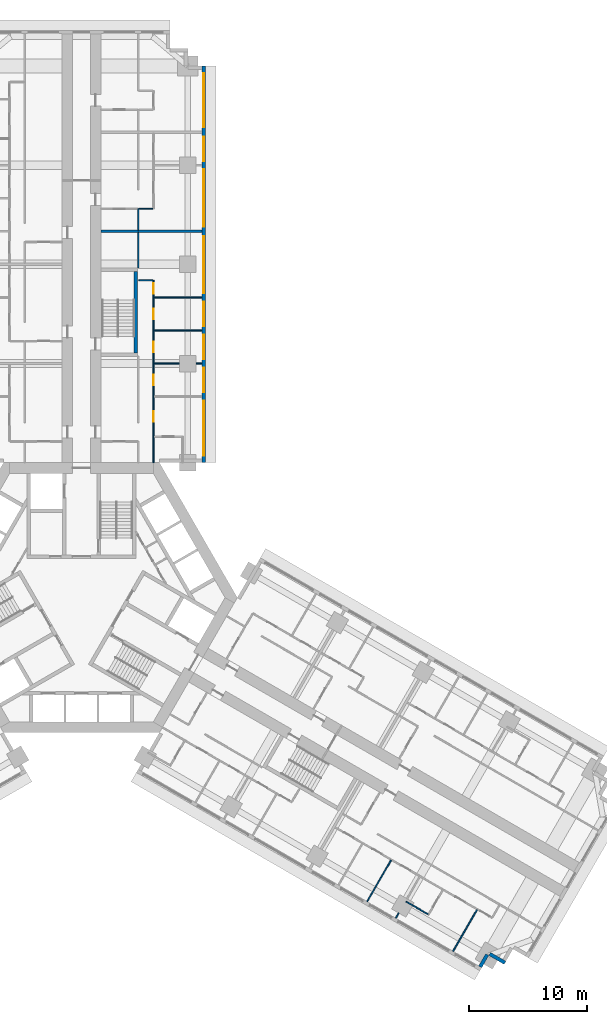
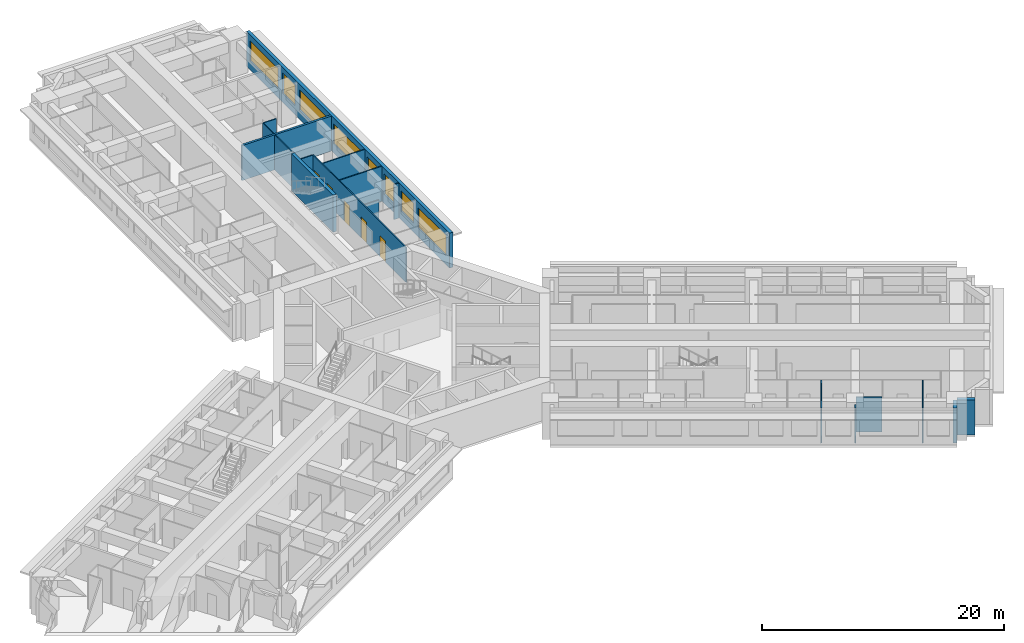
# One storey, part 10 of 15: 18 walls, 8 windows, 5 doors, 13 openings.
"""IFC4 building model written with IfcOpenShell, lengths in metres."""

from ifc_helpers import new_model, si_unit, direction, frame, frame_2d, origin, place, context, subcontext, project, spatial, rectangle, extrude, material, layer, layer_set, type_object, element, fill, save


model = new_model("IFC4")

# Units and contexts
model_context = context("Model", 3, precision=1e-05, world=origin(), true_north=direction((0.0, 1.0)))
body_context = subcontext(model_context, "Body", "Model", "MODEL_VIEW")
ifc_project = project(units=[si_unit("LENGTHUNIT", "METRE"), si_unit("AREAUNIT", "SQUARE_METRE"), si_unit("VOLUMEUNIT", "CUBIC_METRE"), si_unit("PLANEANGLEUNIT", "RADIAN"), si_unit("MASSUNIT", "GRAM", prefix="KILO")], contexts=[model_context])

# Site, building, storey
site_placement = place(None, origin())
site = spatial("IfcSite", under=ifc_project, at=site_placement, CompositionType="ELEMENT")
building_placement = place(site_placement, origin())
building = spatial("IfcBuilding", under=site, at=building_placement, Name="Impinga Residences", CompositionType="ELEMENT")
storey_placement = place(building_placement, frame((0.0, 0.0, 82.25)))
storey = spatial("IfcBuildingStorey", under=building, at=storey_placement, Name="L20", CompositionType="ELEMENT", Elevation=82.25)

# Wall, openings, windows
ifc_material_1 = material(Name="Terracotta rainscreen on blockwork", Category="masonry")
ifc_layer_1 = layer(ifc_material_1, 0.300048828125)
ifc_layer_set_1 = layer_set([ifc_layer_1], Name="EW1 external wall, terracotta rainscreen on blockwork 300")
wall_type_1 = type_object("IfcWallType", Name="EW1 external wall, terracotta rainscreen on blockwork 300", PredefinedType="SOLIDWALL", material=ifc_layer_set_1)
wall_1_placement = place(storey_placement, frame((10.35009765625, 45.031494140625, 0.0), z_axis=(0.0, 0.0, 1.0), x_axis=(0.0, -1.0, 0.0)))
wall_1 = element("IfcWall", 1, at=wall_1_placement, inside=storey, type_object=wall_type_1, Name="External wall EW1 L20", PredefinedType="SOLIDWALL", context=body_context, shape_type="SweptSolid", body=[
    extrude(rectangle(XDim=33.599853515625, YDim=0.300048828125, at=frame_2d((16.7998046875, 0.0))), origin(), (0.0, 0.0, 1.0), 3.530029296875),
])
opening_1_placement = place(wall_1_placement, frame((0.60009765625, 0.0, 0.89990234375)))
opening_1 = element("IfcOpeningElement", 2, at=opening_1_placement, cuts=wall_1, Name="Opening W3", PredefinedType="OPENING", context=body_context, shape_type="SweptSolid", body=[
    extrude(rectangle(XDim=4.60009765625, YDim=2.050048828125, at=frame_2d((2.300048828125, 1.02490234375))), frame((0.0, 0.159912109375, 0.0), z_axis=(0.0, -1.0, 0.0), x_axis=(1.0, 0.0, 0.0)), (0.0, 0.0, 1.0), 0.320068359375),
])
opening_2_placement = place(wall_1_placement, frame((6.0, 0.0, 0.89990234375)))
opening_2 = element("IfcOpeningElement", 3, at=opening_2_placement, cuts=wall_1, Name="Opening W14", PredefinedType="OPENING", context=body_context, shape_type="SweptSolid", body=[
    extrude(rectangle(XDim=2.050048828125, YDim=2.050048828125, at=frame_2d((1.02490234375, 1.02490234375))), frame((0.0, 0.159912109375, 0.0), z_axis=(0.0, -1.0, 0.0), x_axis=(1.0, 0.0, 0.0)), (0.0, 0.0, 1.0), 0.320068359375),
])
opening_3_placement = place(wall_1_placement, frame((8.75, 0.0, 0.89990234375)))
opening_3 = element("IfcOpeningElement", 4, at=opening_3_placement, cuts=wall_1, Name="Opening W6", PredefinedType="OPENING", context=body_context, shape_type="SweptSolid", body=[
    extrude(rectangle(XDim=4.85009765625, YDim=2.050048828125, at=frame_2d((2.425048828125, 1.02490234375))), frame((0.0, 0.159912109375, 0.0), z_axis=(0.0, -1.0, 0.0), x_axis=(1.0, 0.0, 0.0)), (0.0, 0.0, 1.0), 0.320068359375),
])
opening_4_placement = place(wall_1_placement, frame((14.39990234375, 0.0, 0.89990234375)))
opening_4 = element("IfcOpeningElement", 5, at=opening_4_placement, cuts=wall_1, Name="Opening W6", PredefinedType="OPENING", context=body_context, shape_type="SweptSolid", body=[
    extrude(rectangle(XDim=4.85009765625, YDim=2.050048828125, at=frame_2d((2.425048828125, 1.02490234375))), frame((0.0, 0.159912109375, 0.0), z_axis=(0.0, -1.0, 0.0), x_axis=(1.0, 0.0, 0.0)), (0.0, 0.0, 1.0), 0.320068359375),
])
opening_5_placement = place(wall_1_placement, frame((19.949951171875, 0.0, 0.89990234375)))
opening_5 = element("IfcOpeningElement", 6, at=opening_5_placement, cuts=wall_1, Name="Opening W9", PredefinedType="OPENING", context=body_context, shape_type="SweptSolid", body=[
    extrude(rectangle(XDim=2.10009765625, YDim=2.050048828125, at=frame_2d((1.050048828125, 1.02490234375))), frame((0.0, 0.159912109375, 0.0), z_axis=(0.0, -1.0, 0.0), x_axis=(1.0, 0.0, 0.0)), (0.0, 0.0, 1.0), 0.320068359375),
])
opening_6_placement = place(wall_1_placement, frame((22.75, 0.0, 0.89990234375)))
opening_6 = element("IfcOpeningElement", 7, at=opening_6_placement, cuts=wall_1, Name="Opening W9", PredefinedType="OPENING", context=body_context, shape_type="SweptSolid", body=[
    extrude(rectangle(XDim=2.10009765625, YDim=2.050048828125, at=frame_2d((1.050048828125, 1.02490234375))), frame((0.0, 0.159912109375, 0.0), z_axis=(0.0, -1.0, 0.0), x_axis=(1.0, 0.0, 0.0)), (0.0, 0.0, 1.0), 0.320068359375),
])
opening_7_placement = place(wall_1_placement, frame((25.550048828125, 0.0, 0.89990234375)))
opening_7 = element("IfcOpeningElement", 8, at=opening_7_placement, cuts=wall_1, Name="Opening W9", PredefinedType="OPENING", context=body_context, shape_type="SweptSolid", body=[
    extrude(rectangle(XDim=2.10009765625, YDim=2.050048828125, at=frame_2d((1.050048828125, 1.02490234375))), frame((0.0, 0.159912109375, 0.0), z_axis=(0.0, -1.0, 0.0), x_axis=(1.0, 0.0, 0.0)), (0.0, 0.0, 1.0), 0.320068359375),
])
opening_8_placement = place(wall_1_placement, frame((28.35009765625, 0.0, 0.89990234375)))
opening_8 = element("IfcOpeningElement", 9, at=opening_8_placement, cuts=wall_1, Name="Opening W10", PredefinedType="OPENING", context=body_context, shape_type="SweptSolid", body=[
    extrude(rectangle(XDim=4.64990234375, YDim=2.050048828125, at=frame_2d((2.324951171875, 1.02490234375))), frame((0.0, 0.159912109375, 0.0), z_axis=(0.0, -1.0, 0.0), x_axis=(1.0, 0.0, 0.0)), (0.0, 0.0, 1.0), 0.320068359375),
])
ifc_material_2 = material(Name="Aluminium window, clear double glazing", Category="aluminium")
window_type_1 = type_object("IfcWindowType", Name="W10 ribbon window 4650x2050", PartitioningType="SINGLE_PANEL", PredefinedType="WINDOW", material=ifc_material_2)
window_1_placement = place(opening_8_placement, origin())
window_1 = element("IfcWindow", 10, at=window_1_placement, inside=storey, type_object=window_type_1, Name="Window L20", OverallHeight=2.050048828125, OverallWidth=4.64990234375, PartitioningType="SINGLE_PANEL", PredefinedType="WINDOW", context=body_context, shape_type="SweptSolid", body=[
    extrude(rectangle(XDim=4.64990234375, YDim=2.050048828125, at=frame_2d((2.324951171875, 1.02490234375))), frame((0.0, 0.030029296875, 0.0), z_axis=(0.0, -1.0, 0.0), x_axis=(1.0, 0.0, 0.0)), (0.0, 0.0, 1.0), 0.06005859375),
])
fill(opening_8, window_1)
window_type_2 = type_object("IfcWindowType", Name="W14 ribbon window 2050x2050", PartitioningType="SINGLE_PANEL", PredefinedType="WINDOW", material=ifc_material_2)
window_2_placement = place(opening_2_placement, origin())
window_2 = element("IfcWindow", 11, at=window_2_placement, inside=storey, type_object=window_type_2, Name="Window L20", OverallHeight=2.050048828125, OverallWidth=2.050048828125, PartitioningType="SINGLE_PANEL", PredefinedType="WINDOW", context=body_context, shape_type="SweptSolid", body=[
    extrude(rectangle(XDim=2.050048828125, YDim=2.050048828125, at=frame_2d((1.02490234375, 1.02490234375))), frame((0.0, 0.030029296875, 0.0), z_axis=(0.0, -1.0, 0.0), x_axis=(1.0, 0.0, 0.0)), (0.0, 0.0, 1.0), 0.06005859375),
])
fill(opening_2, window_2)
window_type_3 = type_object("IfcWindowType", Name="W3 ribbon window 4600x2050", PartitioningType="SINGLE_PANEL", PredefinedType="WINDOW", material=ifc_material_2)
window_3_placement = place(opening_1_placement, origin())
window_3 = element("IfcWindow", 12, at=window_3_placement, inside=storey, type_object=window_type_3, Name="Window L20", OverallHeight=2.050048828125, OverallWidth=4.60009765625, PartitioningType="SINGLE_PANEL", PredefinedType="WINDOW", context=body_context, shape_type="SweptSolid", body=[
    extrude(rectangle(XDim=4.60009765625, YDim=2.050048828125, at=frame_2d((2.300048828125, 1.02490234375))), frame((0.0, 0.030029296875, 0.0), z_axis=(0.0, -1.0, 0.0), x_axis=(1.0, 0.0, 0.0)), (0.0, 0.0, 1.0), 0.06005859375),
])
fill(opening_1, window_3)
window_type_4 = type_object("IfcWindowType", Name="W6 ribbon window 4850x2050", PartitioningType="SINGLE_PANEL", PredefinedType="WINDOW", material=ifc_material_2)
window_4_placement = place(opening_3_placement, origin())
window_4 = element("IfcWindow", 13, at=window_4_placement, inside=storey, type_object=window_type_4, Name="Window L20", OverallHeight=2.050048828125, OverallWidth=4.85009765625, PartitioningType="SINGLE_PANEL", PredefinedType="WINDOW", context=body_context, shape_type="SweptSolid", body=[
    extrude(rectangle(XDim=4.85009765625, YDim=2.050048828125, at=frame_2d((2.425048828125, 1.02490234375))), frame((0.0, 0.030029296875, 0.0), z_axis=(0.0, -1.0, 0.0), x_axis=(1.0, 0.0, 0.0)), (0.0, 0.0, 1.0), 0.06005859375),
])
fill(opening_3, window_4)
window_5_placement = place(opening_4_placement, origin())
window_5 = element("IfcWindow", 14, at=window_5_placement, inside=storey, type_object=window_type_4, Name="Window L20", OverallHeight=2.050048828125, OverallWidth=4.85009765625, PartitioningType="SINGLE_PANEL", PredefinedType="WINDOW", context=body_context, shape_type="SweptSolid", body=[
    extrude(rectangle(XDim=4.85009765625, YDim=2.050048828125, at=frame_2d((2.425048828125, 1.02490234375))), frame((0.0, 0.030029296875, 0.0), z_axis=(0.0, -1.0, 0.0), x_axis=(1.0, 0.0, 0.0)), (0.0, 0.0, 1.0), 0.06005859375),
])
fill(opening_4, window_5)
window_type_5 = type_object("IfcWindowType", Name="W9 ribbon window 2100x2050", PartitioningType="SINGLE_PANEL", PredefinedType="WINDOW", material=ifc_material_2)
window_6_placement = place(opening_5_placement, origin())
window_6 = element("IfcWindow", 15, at=window_6_placement, inside=storey, type_object=window_type_5, Name="Window L20", OverallHeight=2.050048828125, OverallWidth=2.10009765625, PartitioningType="SINGLE_PANEL", PredefinedType="WINDOW", context=body_context, shape_type="SweptSolid", body=[
    extrude(rectangle(XDim=2.10009765625, YDim=2.050048828125, at=frame_2d((1.050048828125, 1.02490234375))), frame((0.0, 0.030029296875, 0.0), z_axis=(0.0, -1.0, 0.0), x_axis=(1.0, 0.0, 0.0)), (0.0, 0.0, 1.0), 0.06005859375),
])
fill(opening_5, window_6)
window_7_placement = place(opening_6_placement, origin())
window_7 = element("IfcWindow", 16, at=window_7_placement, inside=storey, type_object=window_type_5, Name="Window L20", OverallHeight=2.050048828125, OverallWidth=2.10009765625, PartitioningType="SINGLE_PANEL", PredefinedType="WINDOW", context=body_context, shape_type="SweptSolid", body=[
    extrude(rectangle(XDim=2.10009765625, YDim=2.050048828125, at=frame_2d((1.050048828125, 1.02490234375))), frame((0.0, 0.030029296875, 0.0), z_axis=(0.0, -1.0, 0.0), x_axis=(1.0, 0.0, 0.0)), (0.0, 0.0, 1.0), 0.06005859375),
])
fill(opening_6, window_7)
window_8_placement = place(opening_7_placement, origin())
window_8 = element("IfcWindow", 17, at=window_8_placement, inside=storey, type_object=window_type_5, Name="Window L20", OverallHeight=2.050048828125, OverallWidth=2.10009765625, PartitioningType="SINGLE_PANEL", PredefinedType="WINDOW", context=body_context, shape_type="SweptSolid", body=[
    extrude(rectangle(XDim=2.10009765625, YDim=2.050048828125, at=frame_2d((1.050048828125, 1.02490234375))), frame((0.0, 0.030029296875, 0.0), z_axis=(0.0, -1.0, 0.0), x_axis=(1.0, 0.0, 0.0)), (0.0, 0.0, 1.0), 0.06005859375),
])
fill(opening_7, window_8)

# Walls
wall_2_placement = place(storey_placement, frame((35.87255859375, -30.93017578125, 0.0), z_axis=(0.0, 0.0, 1.0), x_axis=(-0.866031096941, 0.499990139034, 0.0)))
element("IfcWall", 18, at=wall_2_placement, inside=storey, type_object=wall_type_1, Name="External wall EW1 L20", PredefinedType="SOLIDWALL", context=body_context, shape_type="SweptSolid", body=[
    extrude(rectangle(XDim=1.5, YDim=0.300048828125, at=frame_2d((0.75, 0.0))), origin(), (0.0, 0.0, 1.0), 3.530029296875),
])
wall_3_placement = place(storey_placement, frame((34.365966796875, -30.2392578125, 0.0), z_axis=(0.0, 0.0, 1.0), x_axis=(-0.499940577336, -0.866059708757, 0.0)))
element("IfcWall", 19, at=wall_3_placement, inside=storey, type_object=wall_type_1, Name="External wall EW1 L20", PredefinedType="SOLIDWALL", context=body_context, shape_type="SweptSolid", body=[
    extrude(rectangle(XDim=1.195068359375, YDim=0.300048828125, at=frame_2d((0.59765625, 0.0))), origin(), (0.0, 0.0, 1.0), 3.530029296875),
])
ifc_material_3 = material(Name="Gypsum board on steel studs", Category="steel")
ifc_layer_2 = layer(ifc_material_3, 0.10009765625)
ifc_layer_set_2 = layer_set([ifc_layer_2], Name="Gypsum board on steel studs")
wall_type_2 = type_object("IfcWallType", Name="IP1 partition 100", PredefinedType="PARTITIONING", material=ifc_layer_set_2)
wall_4_placement = place(storey_placement, frame((4.800048828125, 27.931640625, 0.0), z_axis=(0.0, 0.0, 1.0), x_axis=(0.0, 1.0, 0.0)))
element("IfcWall", 20, at=wall_4_placement, inside=storey, type_object=wall_type_2, Name="Partition L20-NF1:DIV2", PredefinedType="PARTITIONING", context=body_context, shape_type="SweptSolid", body=[
    extrude(rectangle(XDim=3.0, YDim=0.10009765625, at=frame_2d((1.5, 0.0))), origin(), (0.0, 0.0, 1.0), 3.530029296875),
])

# Wall, openings, doors
wall_5_placement = place(storey_placement, frame((6.10009765625, 11.431640625, 0.0), z_axis=(0.0, 0.0, 1.0), x_axis=(0.0, 1.0, 0.0)))
wall_5 = element("IfcWall", 21, at=wall_5_placement, inside=storey, type_object=wall_type_2, Name="Partition L20-NF1:STRIP", PredefinedType="PARTITIONING", context=body_context, shape_type="SweptSolid", body=[
    extrude(rectangle(XDim=15.449951171875, YDim=0.10009765625, at=frame_2d((7.72509765625, 0.0))), origin(), (0.0, 0.0, 1.0), 3.530029296875),
])
opening_9_placement = place(wall_5_placement, frame((3.449951171875, 0.0, 0.0)))
opening_9 = element("IfcOpeningElement", 22, at=opening_9_placement, cuts=wall_5, Name="Opening D2", PredefinedType="OPENING", context=body_context, shape_type="SweptSolid", body=[
    extrude(rectangle(XDim=0.89990234375, YDim=2.10009765625, at=frame_2d((0.449951171875, 1.050048828125))), frame((0.0, 0.06005859375, 0.0), z_axis=(0.0, -1.0, 0.0), x_axis=(1.0, 0.0, 0.0)), (0.0, 0.0, 1.0), 0.1201171875),
])
opening_10_placement = place(wall_5_placement, frame((6.550048828125, 0.0, 0.0)))
opening_10 = element("IfcOpeningElement", 23, at=opening_10_placement, cuts=wall_5, Name="Opening D2", PredefinedType="OPENING", context=body_context, shape_type="SweptSolid", body=[
    extrude(rectangle(XDim=0.89990234375, YDim=2.10009765625, at=frame_2d((0.449951171875, 1.050048828125))), frame((0.0, 0.06005859375, 0.0), z_axis=(0.0, -1.0, 0.0), x_axis=(1.0, 0.0, 0.0)), (0.0, 0.0, 1.0), 0.1201171875),
])
opening_11_placement = place(wall_5_placement, frame((9.35009765625, 0.0, 0.0)))
opening_11 = element("IfcOpeningElement", 24, at=opening_11_placement, cuts=wall_5, Name="Opening D2", PredefinedType="OPENING", context=body_context, shape_type="SweptSolid", body=[
    extrude(rectangle(XDim=0.89990234375, YDim=2.10009765625, at=frame_2d((0.449951171875, 1.050048828125))), frame((0.0, 0.06005859375, 0.0), z_axis=(0.0, -1.0, 0.0), x_axis=(1.0, 0.0, 0.0)), (0.0, 0.0, 1.0), 0.1201171875),
])
opening_12_placement = place(wall_5_placement, frame((12.14990234375, 0.0, 0.0)))
opening_12 = element("IfcOpeningElement", 25, at=opening_12_placement, cuts=wall_5, Name="Opening D2", PredefinedType="OPENING", context=body_context, shape_type="SweptSolid", body=[
    extrude(rectangle(XDim=0.89990234375, YDim=2.10009765625, at=frame_2d((0.449951171875, 1.050048828125))), frame((0.0, 0.06005859375, 0.0), z_axis=(0.0, -1.0, 0.0), x_axis=(1.0, 0.0, 0.0)), (0.0, 0.0, 1.0), 0.1201171875),
])
opening_13_placement = place(wall_5_placement, frame((14.300048828125, 0.0, 0.0)))
opening_13 = element("IfcOpeningElement", 26, at=opening_13_placement, cuts=wall_5, Name="Opening D2", PredefinedType="OPENING", context=body_context, shape_type="SweptSolid", body=[
    extrude(rectangle(XDim=0.89990234375, YDim=2.10009765625, at=frame_2d((0.449951171875, 1.050048828125))), frame((0.0, 0.06005859375, 0.0), z_axis=(0.0, -1.0, 0.0), x_axis=(1.0, 0.0, 0.0)), (0.0, 0.0, 1.0), 0.1201171875),
])
ifc_material_4 = material(Name="Timber door set", Category="wood")
door_type = type_object("IfcDoorType", Name="D2 internal door 900x2100", OperationType="SINGLE_SWING_LEFT", PredefinedType="DOOR", material=ifc_material_4)
door_1_placement = place(opening_9_placement, origin())
door_1 = element("IfcDoor", 27, at=door_1_placement, inside=storey, type_object=door_type, Name="Apartment L20-NF1 room door", OperationType="SINGLE_SWING_LEFT", OverallHeight=2.10009765625, OverallWidth=0.89990234375, PredefinedType="DOOR", context=body_context, shape_type="SweptSolid", body=[
    extrude(rectangle(XDim=0.89990234375, YDim=2.10009765625, at=frame_2d((0.449951171875, 1.050048828125))), frame((0.0, 0.02490234375, 0.0), z_axis=(0.0, -1.0, 0.0), x_axis=(1.0, 0.0, 0.0)), (0.0, 0.0, 1.0), 0.050048828125),
])
fill(opening_9, door_1)
door_2_placement = place(opening_10_placement, origin())
door_2 = element("IfcDoor", 28, at=door_2_placement, inside=storey, type_object=door_type, Name="Apartment L20-NF1 room door", OperationType="SINGLE_SWING_LEFT", OverallHeight=2.10009765625, OverallWidth=0.89990234375, PredefinedType="DOOR", context=body_context, shape_type="SweptSolid", body=[
    extrude(rectangle(XDim=0.89990234375, YDim=2.10009765625, at=frame_2d((0.449951171875, 1.050048828125))), frame((0.0, 0.02490234375, 0.0), z_axis=(0.0, -1.0, 0.0), x_axis=(1.0, 0.0, 0.0)), (0.0, 0.0, 1.0), 0.050048828125),
])
fill(opening_10, door_2)
door_3_placement = place(opening_11_placement, origin())
door_3 = element("IfcDoor", 29, at=door_3_placement, inside=storey, type_object=door_type, Name="Apartment L20-NF1 room door", OperationType="SINGLE_SWING_RIGHT", OverallHeight=2.10009765625, OverallWidth=0.89990234375, PredefinedType="DOOR", context=body_context, shape_type="SweptSolid", body=[
    extrude(rectangle(XDim=0.89990234375, YDim=2.10009765625, at=frame_2d((0.449951171875, 1.050048828125))), frame((0.0, 0.02490234375, 0.0), z_axis=(0.0, -1.0, 0.0), x_axis=(1.0, 0.0, 0.0)), (0.0, 0.0, 1.0), 0.050048828125),
])
fill(opening_11, door_3)
door_4_placement = place(opening_12_placement, origin())
door_4 = element("IfcDoor", 30, at=door_4_placement, inside=storey, type_object=door_type, Name="Apartment L20-NF1 room door", OperationType="SINGLE_SWING_RIGHT", OverallHeight=2.10009765625, OverallWidth=0.89990234375, PredefinedType="DOOR", context=body_context, shape_type="SweptSolid", body=[
    extrude(rectangle(XDim=0.89990234375, YDim=2.10009765625, at=frame_2d((0.449951171875, 1.050048828125))), frame((0.0, 0.02490234375, 0.0), z_axis=(0.0, -1.0, 0.0), x_axis=(1.0, 0.0, 0.0)), (0.0, 0.0, 1.0), 0.050048828125),
])
fill(opening_12, door_4)
door_5_placement = place(opening_13_placement, origin())
door_5 = element("IfcDoor", 31, at=door_5_placement, inside=storey, type_object=door_type, Name="Apartment L20-NF1 room door", OperationType="SINGLE_SWING_RIGHT", OverallHeight=2.10009765625, OverallWidth=0.89990234375, PredefinedType="DOOR", context=body_context, shape_type="SweptSolid", body=[
    extrude(rectangle(XDim=0.89990234375, YDim=2.10009765625, at=frame_2d((0.449951171875, 1.050048828125))), frame((0.0, 0.02490234375, 0.0), z_axis=(0.0, -1.0, 0.0), x_axis=(1.0, 0.0, 0.0)), (0.0, 0.0, 1.0), 0.050048828125),
])
fill(opening_13, door_5)

# Walls
wall_6_placement = place(storey_placement, frame((4.85009765625, 26.881591796875, 0.0), z_axis=(0.0, 0.0, 1.0), x_axis=(1.0, 0.0, 0.0)))
element("IfcWall", 32, at=wall_6_placement, inside=storey, type_object=wall_type_2, Name="Partition L20-NF1:SE1", PredefinedType="PARTITIONING", context=body_context, shape_type="SweptSolid", body=[
    extrude(rectangle(XDim=1.199951171875, YDim=0.10009765625, at=frame_2d((0.60009765625, 0.0))), origin(), (0.0, 0.0, 1.0), 3.530029296875),
])
wall_7_placement = place(storey_placement, frame((6.14990234375, 19.83154296875, 0.0), z_axis=(0.0, 0.0, 1.0), x_axis=(1.0, 0.0, 0.0)))
element("IfcWall", 33, at=wall_7_placement, inside=storey, type_object=wall_type_2, Name="Partition L20-NF1:OB2", PredefinedType="PARTITIONING", context=body_context, shape_type="SweptSolid", body=[
    extrude(rectangle(XDim=2.150146484375, YDim=0.10009765625, at=frame_2d((1.0751953125, 0.0))), origin(), (0.0, 0.0, 1.0), 2.47998046875),
])
wall_8_placement = place(storey_placement, frame((9.699951171875, 19.83154296875, 0.0), z_axis=(0.0, 0.0, 1.0), x_axis=(1.0, 0.0, 0.0)))
element("IfcWall", 34, at=wall_8_placement, inside=storey, type_object=wall_type_2, Name="Partition L20-NF1:OB2b", PredefinedType="PARTITIONING", context=body_context, shape_type="SweptSolid", body=[
    extrude(rectangle(XDim=0.5, YDim=0.10009765625, at=frame_2d((0.25, 0.0))), origin(), (0.0, 0.0, 1.0), 3.530029296875),
])
for number, where, z_axis, x_axis, name in (
    (35, (6.14990234375, 22.631591796875, 0.0), (0.0, 0.0, 1.0), (1.0, 0.0, 0.0), "Partition L20-NF1:OB3"),
    (36, (6.14990234375, 25.431640625, 0.0), (0.0, 0.0, 1.0), (1.0, 0.0, 0.0), "Partition L20-NF1:OB4"),
):
    element("IfcWall", number, at=place(storey_placement, frame(where, z_axis=z_axis, x_axis=x_axis)), inside=storey, type_object=wall_type_2, Name=name, PredefinedType="PARTITIONING", context=body_context, shape_type="SweptSolid", body=[
        extrude(rectangle(XDim=4.050048828125, YDim=0.10009765625, at=frame_2d((2.02490234375, 0.0))), origin(), (0.0, 0.0, 1.0), 3.530029296875),
    ])
wall_9_placement = place(storey_placement, frame((4.800048828125, 31.131591796875, 0.0), z_axis=(0.0, 0.0, 1.0), x_axis=(0.0, 1.0, 0.0)))
element("IfcWall", 37, at=wall_9_placement, inside=storey, type_object=wall_type_2, Name="Partition L20-NF2:DIV0", PredefinedType="PARTITIONING", context=body_context, shape_type="SweptSolid", body=[
    extrude(rectangle(XDim=1.800048828125, YDim=0.10009765625, at=frame_2d((0.89990234375, 0.0))), origin(), (0.0, 0.0, 1.0), 3.530029296875),
])
wall_10_placement = place(storey_placement, frame((4.85009765625, 32.931640625, 0.0), z_axis=(0.0, 0.0, 1.0), x_axis=(1.0, 0.0, 0.0)))
element("IfcWall", 38, at=wall_10_placement, inside=storey, type_object=wall_type_2, Name="Partition L20-NF2:SE0", PredefinedType="PARTITIONING", context=body_context, shape_type="SweptSolid", body=[
    extrude(rectangle(XDim=1.199951171875, YDim=0.10009765625, at=frame_2d((0.60009765625, 0.0))), origin(), (0.0, 0.0, 1.0), 3.530029296875),
])
wall_11_placement = place(storey_placement, frame((26.223876953125, -22.241943359375, 0.0), z_axis=(0.0, 0.0, 1.0), x_axis=(-0.499990325971, -0.866030989016, 0.0)))
element("IfcWall", 39, at=wall_11_placement, inside=storey, type_object=wall_type_2, Name="Partition L20-EF2:OB2", PredefinedType="PARTITIONING", context=body_context, shape_type="SweptSolid", body=[
    extrude(rectangle(XDim=4.0498046875, YDim=0.10009765625, at=frame_2d((2.02490234375, 0.0))), origin(), (0.0, 0.0, 1.0), 3.530029296875),
])
wall_12_placement = place(storey_placement, frame((26.873779296875, -26.71630859375, 0.0), z_axis=(0.0, 0.0, 1.0), x_axis=(-0.500131122175, -0.865949687125, 0.0)))
element("IfcWall", 40, at=wall_12_placement, inside=storey, type_object=wall_type_2, Name="Partition L20-EF2:OB3b", PredefinedType="PARTITIONING", context=body_context, shape_type="SweptSolid", body=[
    extrude(rectangle(XDim=0.499755859375, YDim=0.10009765625, at=frame_2d((0.25, 0.0))), origin(), (0.0, 0.0, 1.0), 3.530029296875),
])
wall_13_placement = place(storey_placement, frame((33.49853515625, -26.44189453125, 0.0), z_axis=(0.0, 0.0, 1.0), x_axis=(-0.499990325971, -0.866030989016, 0.0)))
element("IfcWall", 41, at=wall_13_placement, inside=storey, type_object=wall_type_2, Name="Partition L20-EF2:OB4", PredefinedType="PARTITIONING", context=body_context, shape_type="SweptSolid", body=[
    extrude(rectangle(XDim=4.0498046875, YDim=0.10009765625, at=frame_2d((2.02490234375, 0.0))), origin(), (0.0, 0.0, 1.0), 3.530029296875),
])
wall_14_placement = place(storey_placement, frame((27.4921875, -25.745361328125, 0.0), z_axis=(0.0, 0.0, 1.0), x_axis=(0.866019166195, -0.500010803666, 0.0)))
element("IfcWall", 42, at=wall_14_placement, inside=storey, type_object=wall_type_2, Name="Partition L20-EF2:EN2", PredefinedType="PARTITIONING", context=body_context, shape_type="SweptSolid", body=[
    extrude(rectangle(XDim=2.14990234375, YDim=0.10009765625, at=frame_2d((1.074951171875, 0.0))), origin(), (0.0, 0.0, 1.0), 3.530029296875),
])
ifc_material_5 = material(Name="Concrete blockwork", Category="masonry")
ifc_layer_3 = layer(ifc_material_5, 0.199951171875)
ifc_layer_set_3 = layer_set([ifc_layer_3], Name="PW1 party wall between apartments 200")
wall_type_3 = type_object("IfcWallType", Name="PW1 party wall between apartments 200", PredefinedType="SOLIDWALL", material=ifc_layer_set_3)
wall_15_placement = place(storey_placement, frame((1.64990234375, 31.031494140625, 0.0), z_axis=(0.0, 0.0, 1.0), x_axis=(1.0, 0.0, 0.0)))
element("IfcWall", 43, at=wall_15_placement, inside=storey, type_object=wall_type_3, Name="Party wall between apartments L20-NF1:PARTY", PredefinedType="SOLIDWALL", context=body_context, shape_type="SweptSolid", body=[
    extrude(rectangle(XDim=8.550048828125, YDim=0.199951171875, at=frame_2d((4.27490234375, 0.0))), origin(), (0.0, 0.0, 1.0), 3.530029296875),
])
ifc_material_6 = material(Name="Concrete C60/75", Category="concrete")
ifc_layer_4 = layer(ifc_material_6, 0.300048828125)
ifc_layer_set_4 = layer_set([ifc_layer_4], Name="Concrete C60/75")
wall_type_4 = type_object("IfcWallType", Name="SE1 wing stair enclosure wall 300", PredefinedType="SOLIDWALL", material=ifc_layer_set_4)
wall_16_placement = place(storey_placement, frame((4.60009765625, 20.7314453125, 0.0), z_axis=(0.0, 0.0, 1.0), x_axis=(0.0, 1.0, 0.0)))
element("IfcWall", 44, at=wall_16_placement, inside=storey, type_object=wall_type_4, Name="Stair enclosure wall SE1 N OUT L20", PredefinedType="SOLIDWALL", context=body_context, shape_type="SweptSolid", body=[
    extrude(rectangle(XDim=6.900146484375, YDim=0.300048828125, at=frame_2d((3.4501953125, 0.0))), origin(), (0.0, 0.0, 1.0), 3.75),
])

save(model, "model.ifc")
